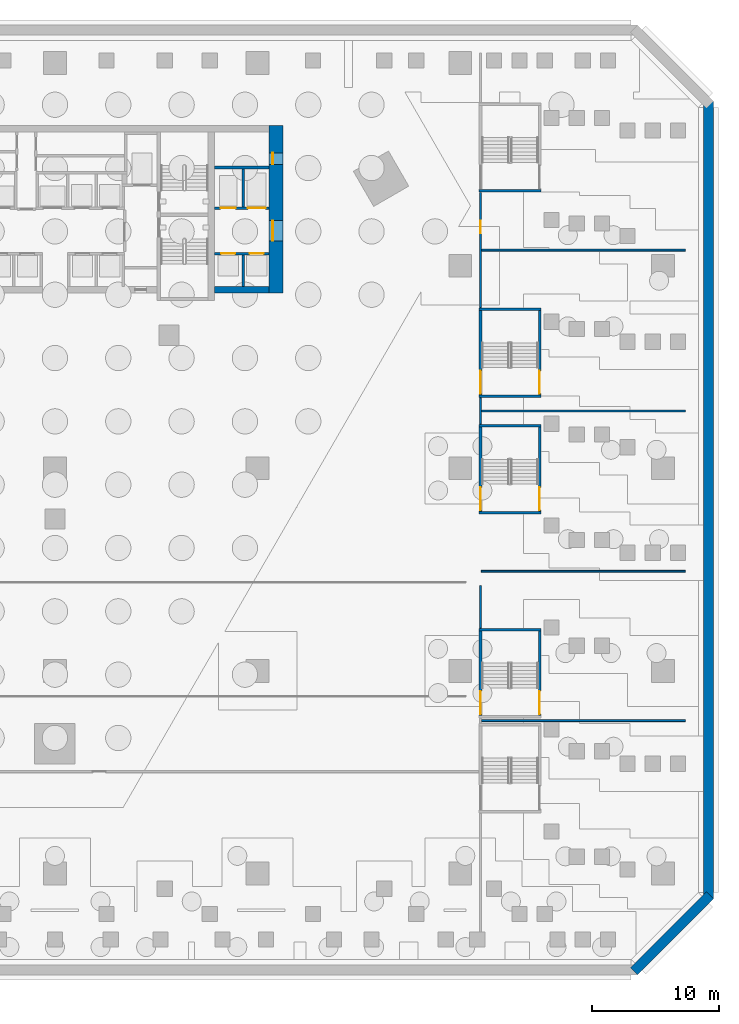
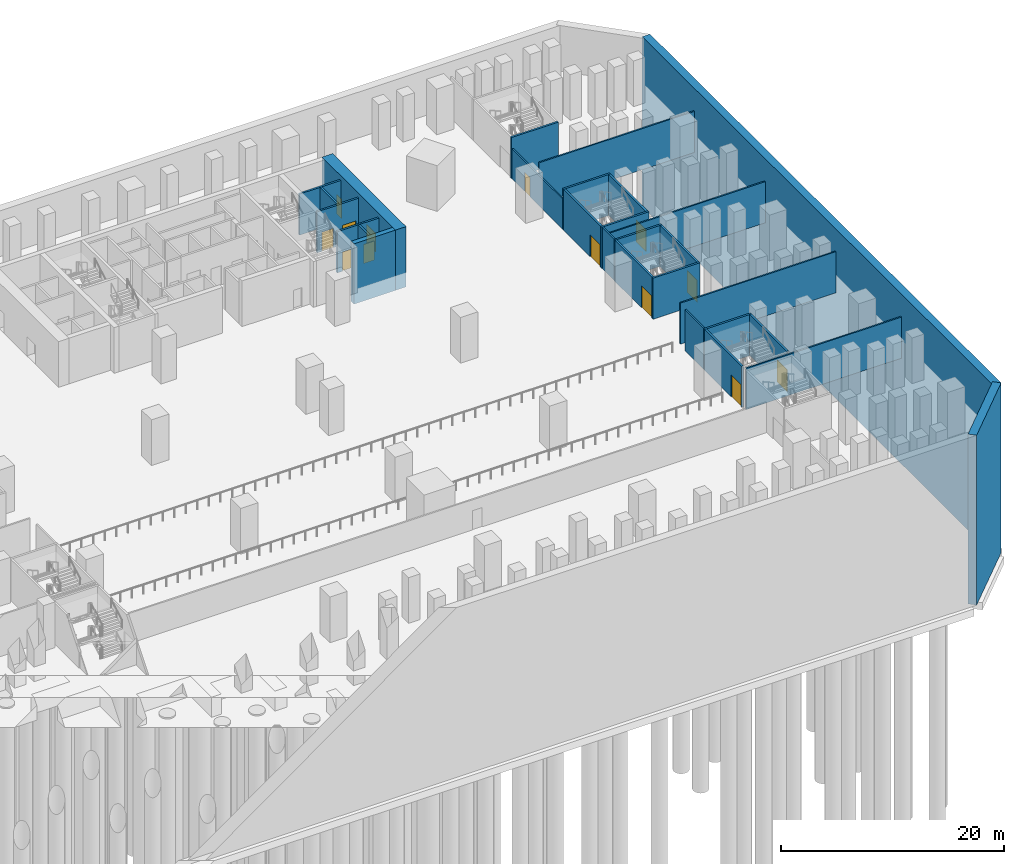
# One storey, part 10 of 27: 28 walls, 13 doors, 13 openings.
"""IFC4 building model written with IfcOpenShell, lengths in metres."""

from ifc_helpers import new_model, si_unit, direction, frame, frame_2d, origin, place, context, subcontext, project, spatial, rectangle, extrude, material, layer, layer_set, type_object, element, fill, save


model = new_model("IFC4")

# Units and contexts
model_context = context("Model", 3, precision=1e-05, world=origin(), true_north=direction((0.0, 1.0)))
body_context = subcontext(model_context, "Body", "Model", "MODEL_VIEW")
ifc_project = project(units=[si_unit("LENGTHUNIT", "METRE"), si_unit("AREAUNIT", "SQUARE_METRE"), si_unit("VOLUMEUNIT", "CUBIC_METRE"), si_unit("PLANEANGLEUNIT", "RADIAN"), si_unit("MASSUNIT", "GRAM", prefix="KILO")], contexts=[model_context])

# Site, building, storey
site_placement = place(None, origin())
site = spatial("IfcSite", under=ifc_project, at=site_placement, CompositionType="ELEMENT")
building_placement = place(site_placement, origin())
building = spatial("IfcBuilding", under=site, at=building_placement, Name="Calabash Gate Tower", CompositionType="ELEMENT")
storey_placement = place(building_placement, frame((0.0, 0.0, -10.0)))
storey = spatial("IfcBuildingStorey", under=building, at=storey_placement, Name="B2", CompositionType="ELEMENT", Elevation=-10.0)

# Wall, openings, doors
ifc_material_1 = material(Name="Concrete C60/75", Category="concrete")
ifc_layer_1 = layer(ifc_material_1, 1.10009765625)
ifc_layer_set_1 = layer_set([ifc_layer_1], Name="Core wall 1100 Concrete C60/75")
wall_type_1 = type_object("IfcWallType", Name="Core wall 1100 Concrete C60/75", PredefinedType="SHEAR", material=ifc_layer_set_1)
wall_1_placement = place(storey_placement, frame((17.449951171875, 5.8525390625, -1.60009765625), z_axis=(0.0, 0.0, 1.0), x_axis=(0.0, 1.0, 0.0)))
wall_1 = element("IfcWall", 1, at=wall_1_placement, inside=storey, type_object=wall_type_1, Name="Core wall B-ENDE B2", PredefinedType="SHEAR", context=body_context, shape_type="SweptSolid", body=[
    extrude(rectangle(XDim=13.199951171875, YDim=1.10009765625, at=frame_2d((6.60009765625, 0.0))), origin(), (0.0, 0.0, 1.0), 6.60009765625),
])
opening_1_placement = place(wall_1_placement, frame((4.10009765625, 0.0, 1.60009765625)))
opening_1 = element("IfcOpeningElement", 2, at=opening_1_placement, cuts=wall_1, Name="Opening B2-016", PredefinedType="OPENING", context=body_context, shape_type="SweptSolid", body=[
    extrude(rectangle(XDim=1.60009765625, YDim=2.10009765625, at=frame_2d((0.800048828125, 1.050048828125))), frame((0.0, 0.56005859375, 0.0), z_axis=(0.0, -1.0, 0.0), x_axis=(1.0, 0.0, 0.0)), (0.0, 0.0, 1.0), 1.1201171875),
])
opening_2_placement = place(wall_1_placement, frame((10.14990234375, 0.0, 1.60009765625)))
opening_2 = element("IfcOpeningElement", 3, at=opening_2_placement, cuts=wall_1, Name="Opening B2-017", PredefinedType="OPENING", context=body_context, shape_type="SweptSolid", body=[
    extrude(rectangle(XDim=0.89990234375, YDim=2.10009765625, at=frame_2d((0.449951171875, 1.050048828125))), frame((0.0, 0.56005859375, 0.0), z_axis=(0.0, -1.0, 0.0), x_axis=(1.0, 0.0, 0.0)), (0.0, 0.0, 1.0), 1.1201171875),
])
ifc_material_2 = material(Name="Steel fire door set with fire-resisting glazing", Category="steel")
door_type_1 = type_object("IfcDoorType", Name="Double fire door D08 1600x2100 FD60", OperationType="DOUBLE_DOOR_SINGLE_SWING", PredefinedType="DOOR", material=ifc_material_2)
door_1_placement = place(opening_1_placement, origin())
door_1 = element("IfcDoor", 4, at=door_1_placement, inside=storey, type_object=door_type_1, Name="Low-rise Lift Lobby E door", OperationType="DOUBLE_DOOR_SINGLE_SWING", OverallHeight=2.10009765625, OverallWidth=1.60009765625, PredefinedType="DOOR", context=body_context, shape_type="SweptSolid", body=[
    extrude(rectangle(XDim=1.60009765625, YDim=2.10009765625, at=frame_2d((0.800048828125, 1.050048828125))), frame((0.0, 0.27490234375, 0.0), z_axis=(0.0, -1.0, 0.0), x_axis=(1.0, 0.0, 0.0)), (0.0, 0.0, 1.0), 0.050048828125),
])
fill(opening_1, door_1)
ifc_material_3 = material(Name="Steel fire door set with fire-resisting glazing", Category="steel")
door_type_2 = type_object("IfcDoorType", Name="Fire door D06 900x2100 FD60", OperationType="NOTDEFINED", PredefinedType="DOOR", material=ifc_material_3)
door_2_placement = place(opening_2_placement, origin())
door_2 = element("IfcDoor", 5, at=door_2_placement, inside=storey, type_object=door_type_2, Name="Plant BMS Room door", OperationType="SINGLE_SWING_LEFT", OverallHeight=2.10009765625, OverallWidth=0.89990234375, PredefinedType="DOOR", context=body_context, shape_type="SweptSolid", body=[
    extrude(rectangle(XDim=0.89990234375, YDim=2.10009765625, at=frame_2d((0.449951171875, 1.050048828125))), frame((0.0, 0.27490234375, 0.0), z_axis=(0.0, -1.0, 0.0), x_axis=(1.0, 0.0, 0.0)), (0.0, 0.0, 1.0), 0.050048828125),
])
fill(opening_2, door_2)

# Walls
ifc_material_4 = material(Name="Concrete C60/75", Category="concrete")
ifc_layer_2 = layer(ifc_material_4, 0.5)
ifc_layer_set_2 = layer_set([ifc_layer_2], Name="Core wall 500 Concrete C60/75")
wall_type_2 = type_object("IfcWallType", Name="Core wall 500 Concrete C60/75", PredefinedType="SHEAR", material=ifc_layer_set_2)
wall_2_placement = place(storey_placement, frame((12.60009765625, 6.1025390625, -1.60009765625), z_axis=(0.0, 0.0, 1.0), x_axis=(1.0, 0.0, 0.0)))
element("IfcWall", 6, at=wall_2_placement, inside=storey, type_object=wall_type_2, Name="Core wall B-SE B2", PredefinedType="SHEAR", context=body_context, shape_type="SweptSolid", body=[
    extrude(rectangle(XDim=4.2998046875, YDim=0.5, at=frame_2d((2.14990234375, 0.0))), origin(), (0.0, 0.0, 1.0), 6.60009765625),
])
ifc_material_5 = material(Name="Concrete C60/75", Category="concrete")
ifc_layer_3 = layer(ifc_material_5, 0.800048828125)
ifc_layer_set_3 = layer_set([ifc_layer_3], Name="Diaphragm wall 800 Concrete C60/75")
wall_type_3 = type_object("IfcWallType", Name="Diaphragm wall 800 Concrete C60/75", PredefinedType="SHEAR", material=ifc_layer_set_3)
wall_3_placement = place(storey_placement, frame((45.717041015625, -47.717041015625, -13.60009765625), z_axis=(0.0, 0.0, 1.0), x_axis=(0.707106781187, 0.707106781187, 0.0)))
element("IfcWall", 7, at=wall_3_placement, inside=storey, type_object=wall_type_3, Name="Diaphragm wall B2", PredefinedType="SHEAR", context=body_context, shape_type="SweptSolid", body=[
    extrude(rectangle(XDim=8.4853515625, YDim=0.800048828125, at=frame_2d((4.24267578125, 0.0))), origin(), (0.0, 0.0, 1.0), 18.60009765625),
])
wall_4_placement = place(storey_placement, frame((51.60009765625, -42.0, -13.60009765625), z_axis=(0.0, 0.0, 1.0), x_axis=(0.0, 1.0, 0.0)))
element("IfcWall", 8, at=wall_4_placement, inside=storey, type_object=wall_type_3, Name="Diaphragm wall B2", PredefinedType="SHEAR", context=body_context, shape_type="SweptSolid", body=[
    extrude(rectangle(XDim=63.0, YDim=0.800048828125, at=frame_2d((31.5, 0.0))), origin(), (0.0, 0.0, 1.0), 18.60009765625),
])
ifc_material_6 = material(Name="Gypsum board on steel studs, mineral wool", Category="steel")
ifc_layer_4 = layer(ifc_material_6, 0.14990234375)
ifc_layer_set_4 = layer_set([ifc_layer_4], Name="Partition 150 gypsum board")
wall_type_4 = type_object("IfcWallType", Name="Partition 150 gypsum board", PredefinedType="PARTITIONING", material=ifc_layer_set_4)
wall_5_placement = place(storey_placement, frame((33.675048828125, -27.925048828125, 0.0), z_axis=(0.0, 0.0, 1.0), x_axis=(1.0, 0.0, 0.0)))
element("IfcWall", 9, at=wall_5_placement, inside=storey, type_object=wall_type_4, Name="Partition", PredefinedType="PARTITIONING", context=body_context, shape_type="SweptSolid", body=[
    extrude(rectangle(XDim=16.099853515625, YDim=0.14990234375, at=frame_2d((8.0498046875, 0.0))), origin(), (0.0, 0.0, 1.0), 4.5),
])
wall_6_placement = place(storey_placement, frame((33.60009765625, -20.610107421875, 0.0), z_axis=(0.0, 0.0, 1.0), x_axis=(0.0, 1.0, 0.0)))
element("IfcWall", 10, at=wall_6_placement, inside=storey, type_object=wall_type_4, Name="Partition", PredefinedType="PARTITIONING", context=body_context, shape_type="SweptSolid", body=[
    extrude(rectangle(XDim=3.340087890625, YDim=0.14990234375, at=frame_2d((1.669921875, 0.0))), origin(), (0.0, 0.0, 1.0), 4.5),
])
wall_7_placement = place(storey_placement, frame((33.675048828125, -16.125, 0.0), z_axis=(0.0, 0.0, 1.0), x_axis=(1.0, 0.0, 0.0)))
element("IfcWall", 11, at=wall_7_placement, inside=storey, type_object=wall_type_4, Name="Partition", PredefinedType="PARTITIONING", context=body_context, shape_type="SweptSolid", body=[
    extrude(rectangle(XDim=16.099853515625, YDim=0.14990234375, at=frame_2d((8.0498046875, 0.0))), origin(), (0.0, 0.0, 1.0), 4.5),
])
wall_8_placement = place(storey_placement, frame((33.60009765625, -4.510009765625, 0.0), z_axis=(0.0, 0.0, 1.0), x_axis=(0.0, 1.0, 0.0)))
element("IfcWall", 12, at=wall_8_placement, inside=storey, type_object=wall_type_4, Name="Partition", PredefinedType="PARTITIONING", context=body_context, shape_type="SweptSolid", body=[
    extrude(rectangle(XDim=2.070068359375, YDim=0.14990234375, at=frame_2d((1.03515625, 0.0))), origin(), (0.0, 0.0, 1.0), 4.5),
])
wall_9_placement = place(storey_placement, frame((33.675048828125, -3.47509765625, 0.0), z_axis=(0.0, 0.0, 1.0), x_axis=(1.0, 0.0, 0.0)))
element("IfcWall", 13, at=wall_9_placement, inside=storey, type_object=wall_type_4, Name="Partition", PredefinedType="PARTITIONING", context=body_context, shape_type="SweptSolid", body=[
    extrude(rectangle(XDim=16.099853515625, YDim=0.14990234375, at=frame_2d((8.0498046875, 0.0))), origin(), (0.0, 0.0, 1.0), 4.5),
])

# Wall, opening, door
wall_10_placement = place(storey_placement, frame((33.60009765625, 4.68994140625, 0.0), z_axis=(0.0, 0.0, 1.0), x_axis=(0.0, 1.0, 0.0)))
wall_10 = element("IfcWall", 14, at=wall_10_placement, inside=storey, type_object=wall_type_4, Name="Partition", PredefinedType="PARTITIONING", context=body_context, shape_type="SweptSolid", body=[
    extrude(rectangle(XDim=9.070068359375, YDim=0.14990234375, at=frame_2d((4.53515625, 0.0))), origin(), (0.0, 0.0, 1.0), 3.300048828125),
])
opening_3_placement = place(wall_10_placement, frame((5.85888671875, 0.0, 0.0)))
opening_3 = element("IfcOpeningElement", 15, at=opening_3_placement, cuts=wall_10, Name="Opening B2-041", PredefinedType="OPENING", context=body_context, shape_type="SweptSolid", body=[
    extrude(rectangle(XDim=1.0, YDim=2.10009765625, at=frame_2d((0.5, 1.050048828125))), frame((0.0, 0.0849609375, 0.0), z_axis=(0.0, -1.0, 0.0), x_axis=(1.0, 0.0, 0.0)), (0.0, 0.0, 1.0), 0.169921875),
])
ifc_material_7 = material(Name="Steel fire door set with fire-resisting glazing", Category="steel")
door_type_3 = type_object("IfcDoorType", Name="Fire door D11 1000x2100 FD60", OperationType="NOTDEFINED", PredefinedType="DOOR", material=ifc_material_7)
door_3_placement = place(opening_3_placement, origin())
door_3 = element("IfcDoor", 16, at=door_3_placement, inside=storey, type_object=door_type_3, Name="Chiller Plant Room door", OperationType="SINGLE_SWING_RIGHT", OverallHeight=2.10009765625, OverallWidth=1.0, PredefinedType="DOOR", context=body_context, shape_type="SweptSolid", body=[
    extrude(rectangle(XDim=1.0, YDim=2.10009765625, at=frame_2d((0.5, 1.050048828125))), frame((0.0, 0.02490234375, 0.0), z_axis=(0.0, -1.0, 0.0), x_axis=(1.0, 0.0, 0.0)), (0.0, 0.0, 1.0), 0.050048828125),
])
fill(opening_3, door_3)

# Walls
wall_11_placement = place(storey_placement, frame((33.675048828125, 9.22509765625, 0.0), z_axis=(0.0, 0.0, 1.0), x_axis=(1.0, 0.0, 0.0)))
element("IfcWall", 17, at=wall_11_placement, inside=storey, type_object=wall_type_4, Name="Partition", PredefinedType="PARTITIONING", context=body_context, shape_type="SweptSolid", body=[
    extrude(rectangle(XDim=16.099853515625, YDim=0.14990234375, at=frame_2d((8.0498046875, 0.0))), origin(), (0.0, 0.0, 1.0), 4.5),
])
ifc_material_8 = material(Name="Concrete C40/50", Category="concrete")
ifc_layer_5 = layer(ifc_material_8, 0.199951171875)
ifc_layer_set_5 = layer_set([ifc_layer_5], Name="Shaft wall 200 Concrete C40/50")
wall_type_5 = type_object("IfcWallType", Name="Shaft wall 200 Concrete C40/50", PredefinedType="SOLIDWALL", material=ifc_layer_set_5)
wall_12_placement = place(storey_placement, frame((14.85009765625, 6.3525390625, 0.0), z_axis=(0.0, 0.0, 1.0), x_axis=(0.0, 1.0, 0.0)))
element("IfcWall", 18, at=wall_12_placement, inside=storey, type_object=wall_type_5, Name="Shaft wall", PredefinedType="SOLIDWALL", context=body_context, shape_type="SweptSolid", body=[
    extrude(rectangle(XDim=2.5, YDim=0.199951171875, at=frame_2d((1.25, 0.0))), origin(), (0.0, 0.0, 1.0), 4.5),
])

# Wall, openings, doors
wall_13_placement = place(storey_placement, frame((12.60009765625, 8.95263671875, 0.0), z_axis=(0.0, 0.0, 1.0), x_axis=(1.0, 0.0, 0.0)))
wall_13 = element("IfcWall", 19, at=wall_13_placement, inside=storey, type_object=wall_type_5, Name="Shaft wall", PredefinedType="SOLIDWALL", context=body_context, shape_type="SweptSolid", body=[
    extrude(rectangle(XDim=4.2998046875, YDim=0.199951171875, at=frame_2d((2.14990234375, 0.0))), origin(), (0.0, 0.0, 1.0), 4.5),
])
opening_4_placement = place(wall_13_placement, frame((0.52490234375, 0.0, 0.0)))
opening_4 = element("IfcOpeningElement", 20, at=opening_4_placement, cuts=wall_13, Name="Opening LD-LR5", PredefinedType="OPENING", context=body_context, shape_type="SweptSolid", body=[
    extrude(rectangle(XDim=1.10009765625, YDim=2.10009765625, at=frame_2d((0.550048828125, 1.050048828125))), frame((0.0, 0.10986328125, 0.0), z_axis=(0.0, -1.0, 0.0), x_axis=(1.0, 0.0, 0.0)), (0.0, 0.0, 1.0), 0.219970703125),
])
opening_5_placement = place(wall_13_placement, frame((2.77490234375, 0.0, 0.0)))
opening_5 = element("IfcOpeningElement", 21, at=opening_5_placement, cuts=wall_13, Name="Opening LD-LR6", PredefinedType="OPENING", context=body_context, shape_type="SweptSolid", body=[
    extrude(rectangle(XDim=1.10009765625, YDim=2.10009765625, at=frame_2d((0.550048828125, 1.050048828125))), frame((0.0, 0.10986328125, 0.0), z_axis=(0.0, -1.0, 0.0), x_axis=(1.0, 0.0, 0.0)), (0.0, 0.0, 1.0), 0.219970703125),
])
ifc_material_9 = material(Name="Stainless steel sliding door leaves", Category="steel")
door_type_4 = type_object("IfcDoorType", Name="Lift landing door LS1 1100x2100 FD90", OperationType="DOUBLE_DOOR_SLIDING", PredefinedType="DOOR", material=ifc_material_9)
door_4_placement = place(opening_4_placement, origin())
door_4 = element("IfcDoor", 22, at=door_4_placement, inside=storey, type_object=door_type_4, Name="Lift landing door LR5", OperationType="DOUBLE_DOOR_SLIDING", OverallHeight=2.10009765625, OverallWidth=1.10009765625, PredefinedType="DOOR", context=body_context, shape_type="SweptSolid", body=[
    extrude(rectangle(XDim=1.10009765625, YDim=2.10009765625, at=frame_2d((0.550048828125, 1.050048828125))), frame((0.0, 0.02490234375, 0.0), z_axis=(0.0, -1.0, 0.0), x_axis=(1.0, 0.0, 0.0)), (0.0, 0.0, 1.0), 0.050048828125),
])
fill(opening_4, door_4)
door_5_placement = place(opening_5_placement, origin())
door_5 = element("IfcDoor", 23, at=door_5_placement, inside=storey, type_object=door_type_4, Name="Lift landing door LR6", OperationType="DOUBLE_DOOR_SLIDING", OverallHeight=2.10009765625, OverallWidth=1.10009765625, PredefinedType="DOOR", context=body_context, shape_type="SweptSolid", body=[
    extrude(rectangle(XDim=1.10009765625, YDim=2.10009765625, at=frame_2d((0.550048828125, 1.050048828125))), frame((0.0, 0.02490234375, 0.0), z_axis=(0.0, -1.0, 0.0), x_axis=(1.0, 0.0, 0.0)), (0.0, 0.0, 1.0), 0.050048828125),
])
fill(opening_5, door_5)

wall_14_placement = place(storey_placement, frame((12.60009765625, 12.552490234375, 0.0), z_axis=(0.0, 0.0, 1.0), x_axis=(1.0, 0.0, 0.0)))
wall_14 = element("IfcWall", 24, at=wall_14_placement, inside=storey, type_object=wall_type_5, Name="Shaft wall", PredefinedType="SOLIDWALL", context=body_context, shape_type="SweptSolid", body=[
    extrude(rectangle(XDim=4.2998046875, YDim=0.199951171875, at=frame_2d((2.14990234375, 0.0))), origin(), (0.0, 0.0, 1.0), 4.5),
])
opening_6_placement = place(wall_14_placement, frame((0.47509765625, 0.0, 0.0)))
opening_6 = element("IfcOpeningElement", 25, at=opening_6_placement, cuts=wall_14, Name="Opening LD-SL1", PredefinedType="OPENING", context=body_context, shape_type="SweptSolid", body=[
    extrude(rectangle(XDim=1.199951171875, YDim=2.10009765625, at=frame_2d((0.60009765625, 1.050048828125))), frame((0.0, 0.10986328125, 0.0), z_axis=(0.0, -1.0, 0.0), x_axis=(1.0, 0.0, 0.0)), (0.0, 0.0, 1.0), 0.219970703125),
])
opening_7_placement = place(wall_14_placement, frame((2.625, 0.0, 0.0)))
opening_7 = element("IfcOpeningElement", 26, at=opening_7_placement, cuts=wall_14, Name="Opening LD-GL1", PredefinedType="OPENING", context=body_context, shape_type="SweptSolid", body=[
    extrude(rectangle(XDim=1.39990234375, YDim=2.10009765625, at=frame_2d((0.699951171875, 1.050048828125))), frame((0.0, 0.10986328125, 0.0), z_axis=(0.0, -1.0, 0.0), x_axis=(1.0, 0.0, 0.0)), (0.0, 0.0, 1.0), 0.219970703125),
])
ifc_material_10 = material(Name="Stainless steel sliding door leaves", Category="steel")
door_type_5 = type_object("IfcDoorType", Name="Lift landing door LS3 1200x2100 FD90", OperationType="DOUBLE_DOOR_SLIDING", PredefinedType="DOOR", material=ifc_material_10)
door_6_placement = place(opening_6_placement, origin())
door_6 = element("IfcDoor", 27, at=door_6_placement, inside=storey, type_object=door_type_5, Name="Lift landing door SL1", OperationType="DOUBLE_DOOR_SLIDING", OverallHeight=2.10009765625, OverallWidth=1.199951171875, PredefinedType="DOOR", context=body_context, shape_type="SweptSolid", body=[
    extrude(rectangle(XDim=1.199951171875, YDim=2.10009765625, at=frame_2d((0.60009765625, 1.050048828125))), frame((0.0, 0.02490234375, 0.0), z_axis=(0.0, -1.0, 0.0), x_axis=(1.0, 0.0, 0.0)), (0.0, 0.0, 1.0), 0.050048828125),
])
fill(opening_6, door_6)
ifc_material_11 = material(Name="Stainless steel sliding door leaves", Category="steel")
door_type_6 = type_object("IfcDoorType", Name="Lift landing door LS4 1400x2100 FD90", OperationType="DOUBLE_DOOR_SLIDING", PredefinedType="DOOR", material=ifc_material_11)
door_7_placement = place(opening_7_placement, origin())
door_7 = element("IfcDoor", 28, at=door_7_placement, inside=storey, type_object=door_type_6, Name="Lift landing door GL1", OperationType="DOUBLE_DOOR_SLIDING", OverallHeight=2.10009765625, OverallWidth=1.39990234375, PredefinedType="DOOR", context=body_context, shape_type="SweptSolid", body=[
    extrude(rectangle(XDim=1.39990234375, YDim=2.10009765625, at=frame_2d((0.699951171875, 1.050048828125))), frame((0.0, 0.02490234375, 0.0), z_axis=(0.0, -1.0, 0.0), x_axis=(1.0, 0.0, 0.0)), (0.0, 0.0, 1.0), 0.050048828125),
])
fill(opening_7, door_7)

# Walls
wall_15_placement = place(storey_placement, frame((14.85009765625, 12.652587890625, 0.0), z_axis=(0.0, 0.0, 1.0), x_axis=(0.0, 1.0, 0.0)))
element("IfcWall", 29, at=wall_15_placement, inside=storey, type_object=wall_type_5, Name="Shaft wall", PredefinedType="SOLIDWALL", context=body_context, shape_type="SweptSolid", body=[
    extrude(rectangle(XDim=3.0, YDim=0.199951171875, at=frame_2d((1.5, 0.0))), origin(), (0.0, 0.0, 1.0), 4.5),
])
wall_16_placement = place(storey_placement, frame((12.60009765625, 15.752685546875, 0.0), z_axis=(0.0, 0.0, 1.0), x_axis=(1.0, 0.0, 0.0)))
element("IfcWall", 30, at=wall_16_placement, inside=storey, type_object=wall_type_5, Name="Shaft wall", PredefinedType="SOLIDWALL", context=body_context, shape_type="SweptSolid", body=[
    extrude(rectangle(XDim=4.2998046875, YDim=0.199951171875, at=frame_2d((2.14990234375, 0.0))), origin(), (0.0, 0.0, 1.0), 4.5),
])
ifc_material_12 = material(Name="Concrete C40/50", Category="concrete")
ifc_layer_6 = layer(ifc_material_12, 0.199951171875)
ifc_layer_set_6 = layer_set([ifc_layer_6], Name="Stair wall 200 Concrete C40/50")
wall_type_6 = type_object("IfcWallType", Name="Stair wall 200 Concrete C40/50", PredefinedType="SOLIDWALL", material=ifc_layer_set_6)
wall_17_placement = place(storey_placement, frame((33.5, -20.75, 0.0), z_axis=(0.0, 0.0, 1.0), x_axis=(1.0, 0.0, 0.0)))
element("IfcWall", 31, at=wall_17_placement, inside=storey, type_object=wall_type_6, Name="Stair wall", PredefinedType="SOLIDWALL", context=body_context, shape_type="SweptSolid", body=[
    extrude(rectangle(XDim=4.8701171875, YDim=0.199951171875, at=frame_2d((2.43505859375, 0.0))), origin(), (0.0, 0.0, 1.0), 4.5),
])

# Wall, opening, door
wall_18_placement = place(storey_placement, frame((33.60009765625, -27.5, 0.0), z_axis=(0.0, 0.0, 1.0), x_axis=(0.0, 1.0, 0.0)))
wall_18 = element("IfcWall", 32, at=wall_18_placement, inside=storey, type_object=wall_type_6, Name="Stair wall", PredefinedType="SOLIDWALL", context=body_context, shape_type="SweptSolid", body=[
    extrude(rectangle(XDim=6.64990234375, YDim=0.199951171875, at=frame_2d((3.324951171875, 0.0))), origin(), (0.0, 0.0, 1.0), 4.5),
])
opening_8_placement = place(wall_18_placement, frame((0.10009765625, 0.0, 0.0)))
opening_8 = element("IfcOpeningElement", 33, at=opening_8_placement, cuts=wall_18, Name="Opening B2-030", PredefinedType="OPENING", context=body_context, shape_type="SweptSolid", body=[
    extrude(rectangle(XDim=1.800048828125, YDim=2.39990234375, at=frame_2d((0.89990234375, 1.199951171875))), frame((0.0, 0.10986328125, 0.0), z_axis=(0.0, -1.0, 0.0), x_axis=(1.0, 0.0, 0.0)), (0.0, 0.0, 1.0), 0.219970703125),
])
ifc_material_13 = material(Name="Steel fire door set with fire-resisting glazing", Category="steel")
door_type_7 = type_object("IfcDoorType", Name="Double fire door D16 1800x2400 FD90", OperationType="DOUBLE_DOOR_SINGLE_SWING", PredefinedType="DOOR", material=ifc_material_13)
door_8_placement = place(opening_8_placement, origin())
door_8 = element("IfcDoor", 34, at=door_8_placement, inside=storey, type_object=door_type_7, Name="Exit stair door PS7", OperationType="DOUBLE_DOOR_SINGLE_SWING", OverallHeight=2.39990234375, OverallWidth=1.800048828125, PredefinedType="DOOR", context=body_context, shape_type="SweptSolid", body=[
    extrude(rectangle(XDim=1.800048828125, YDim=2.39990234375, at=frame_2d((0.89990234375, 1.199951171875))), frame((0.0, 0.02490234375, 0.0), z_axis=(0.0, -1.0, 0.0), x_axis=(1.0, 0.0, 0.0)), (0.0, 0.0, 1.0), 0.050048828125),
])
fill(opening_8, door_8)

wall_19_placement = place(storey_placement, frame((38.27001953125, -27.5, 0.0), z_axis=(0.0, 0.0, 1.0), x_axis=(0.0, 1.0, 0.0)))
wall_19 = element("IfcWall", 35, at=wall_19_placement, inside=storey, type_object=wall_type_6, Name="Stair wall", PredefinedType="SOLIDWALL", context=body_context, shape_type="SweptSolid", body=[
    extrude(rectangle(XDim=6.64990234375, YDim=0.199951171875, at=frame_2d((3.324951171875, 0.0))), origin(), (0.0, 0.0, 1.0), 4.5),
])
opening_9_placement = place(wall_19_placement, frame((0.10009765625, 0.0, 0.0)))
opening_9 = element("IfcOpeningElement", 36, at=opening_9_placement, cuts=wall_19, Name="Opening B2-031", PredefinedType="OPENING", context=body_context, shape_type="SweptSolid", body=[
    extrude(rectangle(XDim=1.800048828125, YDim=2.39990234375, at=frame_2d((0.89990234375, 1.199951171875))), frame((0.0, 0.10986328125, 0.0), z_axis=(0.0, -1.0, 0.0), x_axis=(1.0, 0.0, 0.0)), (0.0, 0.0, 1.0), 0.219970703125),
])
door_9_placement = place(opening_9_placement, origin())
door_9 = element("IfcDoor", 37, at=door_9_placement, inside=storey, type_object=door_type_7, Name="Exit stair door PS7", OperationType="DOUBLE_DOOR_SINGLE_SWING", OverallHeight=2.39990234375, OverallWidth=1.800048828125, PredefinedType="DOOR", context=body_context, shape_type="SweptSolid", body=[
    extrude(rectangle(XDim=1.800048828125, YDim=2.39990234375, at=frame_2d((0.89990234375, 1.199951171875))), frame((0.0, 0.02490234375, 0.0), z_axis=(0.0, -1.0, 0.0), x_axis=(1.0, 0.0, 0.0)), (0.0, 0.0, 1.0), 0.050048828125),
])
fill(opening_9, door_9)

# Walls
for number, where, z_axis, x_axis, name in (
    (38, (33.5, -11.5, 0.0), (0.0, 0.0, 1.0), (1.0, 0.0, 0.0), "Stair wall"),
    (39, (33.5, -4.64990234375, 0.0), (0.0, 0.0, 1.0), (1.0, 0.0, 0.0), "Stair wall"),
):
    element("IfcWall", number, at=place(storey_placement, frame(where, z_axis=z_axis, x_axis=x_axis)), inside=storey, type_object=wall_type_6, Name=name, PredefinedType="SOLIDWALL", context=body_context, shape_type="SweptSolid", body=[
        extrude(rectangle(XDim=4.8701171875, YDim=0.199951171875, at=frame_2d((2.43505859375, 0.0))), origin(), (0.0, 0.0, 1.0), 4.5),
    ])

# Wall, opening, door
wall_20_placement = place(storey_placement, frame((33.60009765625, -11.39990234375, 0.0), z_axis=(0.0, 0.0, 1.0), x_axis=(0.0, 1.0, 0.0)))
wall_20 = element("IfcWall", 40, at=wall_20_placement, inside=storey, type_object=wall_type_6, Name="Stair wall", PredefinedType="SOLIDWALL", context=body_context, shape_type="SweptSolid", body=[
    extrude(rectangle(XDim=6.64990234375, YDim=0.199951171875, at=frame_2d((3.324951171875, 0.0))), origin(), (0.0, 0.0, 1.0), 4.5),
])
opening_10_placement = place(wall_20_placement, frame((0.10009765625, 0.0, 0.0)))
opening_10 = element("IfcOpeningElement", 41, at=opening_10_placement, cuts=wall_20, Name="Opening B2-032", PredefinedType="OPENING", context=body_context, shape_type="SweptSolid", body=[
    extrude(rectangle(XDim=1.800048828125, YDim=2.39990234375, at=frame_2d((0.89990234375, 1.199951171875))), frame((0.0, 0.10986328125, 0.0), z_axis=(0.0, -1.0, 0.0), x_axis=(1.0, 0.0, 0.0)), (0.0, 0.0, 1.0), 0.219970703125),
])
door_10_placement = place(opening_10_placement, origin())
door_10 = element("IfcDoor", 42, at=door_10_placement, inside=storey, type_object=door_type_7, Name="Exit stair door PS8", OperationType="DOUBLE_DOOR_SINGLE_SWING", OverallHeight=2.39990234375, OverallWidth=1.800048828125, PredefinedType="DOOR", context=body_context, shape_type="SweptSolid", body=[
    extrude(rectangle(XDim=1.800048828125, YDim=2.39990234375, at=frame_2d((0.89990234375, 1.199951171875))), frame((0.0, 0.02490234375, 0.0), z_axis=(0.0, -1.0, 0.0), x_axis=(1.0, 0.0, 0.0)), (0.0, 0.0, 1.0), 0.050048828125),
])
fill(opening_10, door_10)

wall_21_placement = place(storey_placement, frame((38.27001953125, -11.39990234375, 0.0), z_axis=(0.0, 0.0, 1.0), x_axis=(0.0, 1.0, 0.0)))
wall_21 = element("IfcWall", 43, at=wall_21_placement, inside=storey, type_object=wall_type_6, Name="Stair wall", PredefinedType="SOLIDWALL", context=body_context, shape_type="SweptSolid", body=[
    extrude(rectangle(XDim=6.64990234375, YDim=0.199951171875, at=frame_2d((3.324951171875, 0.0))), origin(), (0.0, 0.0, 1.0), 4.5),
])
opening_11_placement = place(wall_21_placement, frame((0.10009765625, 0.0, 0.0)))
opening_11 = element("IfcOpeningElement", 44, at=opening_11_placement, cuts=wall_21, Name="Opening B2-033", PredefinedType="OPENING", context=body_context, shape_type="SweptSolid", body=[
    extrude(rectangle(XDim=1.800048828125, YDim=2.39990234375, at=frame_2d((0.89990234375, 1.199951171875))), frame((0.0, 0.10986328125, 0.0), z_axis=(0.0, -1.0, 0.0), x_axis=(1.0, 0.0, 0.0)), (0.0, 0.0, 1.0), 0.219970703125),
])
door_11_placement = place(opening_11_placement, origin())
door_11 = element("IfcDoor", 45, at=door_11_placement, inside=storey, type_object=door_type_7, Name="Exit stair door PS8", OperationType="DOUBLE_DOOR_SINGLE_SWING", OverallHeight=2.39990234375, OverallWidth=1.800048828125, PredefinedType="DOOR", context=body_context, shape_type="SweptSolid", body=[
    extrude(rectangle(XDim=1.800048828125, YDim=2.39990234375, at=frame_2d((0.89990234375, 1.199951171875))), frame((0.0, 0.02490234375, 0.0), z_axis=(0.0, -1.0, 0.0), x_axis=(1.0, 0.0, 0.0)), (0.0, 0.0, 1.0), 0.050048828125),
])
fill(opening_11, door_11)

# Walls
for number, where, z_axis, x_axis, name in (
    (46, (33.5, -2.300048828125, 0.0), (0.0, 0.0, 1.0), (1.0, 0.0, 0.0), "Stair wall"),
    (47, (33.5, 4.550048828125, 0.0), (0.0, 0.0, 1.0), (1.0, 0.0, 0.0), "Stair wall"),
):
    element("IfcWall", number, at=place(storey_placement, frame(where, z_axis=z_axis, x_axis=x_axis)), inside=storey, type_object=wall_type_6, Name=name, PredefinedType="SOLIDWALL", context=body_context, shape_type="SweptSolid", body=[
        extrude(rectangle(XDim=4.8701171875, YDim=0.199951171875, at=frame_2d((2.43505859375, 0.0))), origin(), (0.0, 0.0, 1.0), 4.5),
    ])

# Wall, opening, door
wall_22_placement = place(storey_placement, frame((33.60009765625, -2.199951171875, 0.0), z_axis=(0.0, 0.0, 1.0), x_axis=(0.0, 1.0, 0.0)))
wall_22 = element("IfcWall", 48, at=wall_22_placement, inside=storey, type_object=wall_type_6, Name="Stair wall", PredefinedType="SOLIDWALL", context=body_context, shape_type="SweptSolid", body=[
    extrude(rectangle(XDim=6.64990234375, YDim=0.199951171875, at=frame_2d((3.324951171875, 0.0))), origin(), (0.0, 0.0, 1.0), 4.5),
])
opening_12_placement = place(wall_22_placement, frame((0.10009765625, 0.0, 0.0)))
opening_12 = element("IfcOpeningElement", 49, at=opening_12_placement, cuts=wall_22, Name="Opening B2-034", PredefinedType="OPENING", context=body_context, shape_type="SweptSolid", body=[
    extrude(rectangle(XDim=1.800048828125, YDim=2.39990234375, at=frame_2d((0.89990234375, 1.199951171875))), frame((0.0, 0.10986328125, 0.0), z_axis=(0.0, -1.0, 0.0), x_axis=(1.0, 0.0, 0.0)), (0.0, 0.0, 1.0), 0.219970703125),
])
door_12_placement = place(opening_12_placement, origin())
door_12 = element("IfcDoor", 50, at=door_12_placement, inside=storey, type_object=door_type_7, Name="Exit stair door PS9", OperationType="DOUBLE_DOOR_SINGLE_SWING", OverallHeight=2.39990234375, OverallWidth=1.800048828125, PredefinedType="DOOR", context=body_context, shape_type="SweptSolid", body=[
    extrude(rectangle(XDim=1.800048828125, YDim=2.39990234375, at=frame_2d((0.89990234375, 1.199951171875))), frame((0.0, 0.02490234375, 0.0), z_axis=(0.0, -1.0, 0.0), x_axis=(1.0, 0.0, 0.0)), (0.0, 0.0, 1.0), 0.050048828125),
])
fill(opening_12, door_12)

wall_23_placement = place(storey_placement, frame((38.27001953125, -2.199951171875, 0.0), z_axis=(0.0, 0.0, 1.0), x_axis=(0.0, 1.0, 0.0)))
wall_23 = element("IfcWall", 51, at=wall_23_placement, inside=storey, type_object=wall_type_6, Name="Stair wall", PredefinedType="SOLIDWALL", context=body_context, shape_type="SweptSolid", body=[
    extrude(rectangle(XDim=6.64990234375, YDim=0.199951171875, at=frame_2d((3.324951171875, 0.0))), origin(), (0.0, 0.0, 1.0), 4.5),
])
opening_13_placement = place(wall_23_placement, frame((0.10009765625, 0.0, 0.0)))
opening_13 = element("IfcOpeningElement", 52, at=opening_13_placement, cuts=wall_23, Name="Opening B2-035", PredefinedType="OPENING", context=body_context, shape_type="SweptSolid", body=[
    extrude(rectangle(XDim=1.800048828125, YDim=2.39990234375, at=frame_2d((0.89990234375, 1.199951171875))), frame((0.0, 0.10986328125, 0.0), z_axis=(0.0, -1.0, 0.0), x_axis=(1.0, 0.0, 0.0)), (0.0, 0.0, 1.0), 0.219970703125),
])
door_13_placement = place(opening_13_placement, origin())
door_13 = element("IfcDoor", 53, at=door_13_placement, inside=storey, type_object=door_type_7, Name="Exit stair door PS9", OperationType="DOUBLE_DOOR_SINGLE_SWING", OverallHeight=2.39990234375, OverallWidth=1.800048828125, PredefinedType="DOOR", context=body_context, shape_type="SweptSolid", body=[
    extrude(rectangle(XDim=1.800048828125, YDim=2.39990234375, at=frame_2d((0.89990234375, 1.199951171875))), frame((0.0, 0.02490234375, 0.0), z_axis=(0.0, -1.0, 0.0), x_axis=(1.0, 0.0, 0.0)), (0.0, 0.0, 1.0), 0.050048828125),
])
fill(opening_13, door_13)

# Wall
wall_24_placement = place(storey_placement, frame((33.5, 13.89990234375, 0.0), z_axis=(0.0, 0.0, 1.0), x_axis=(1.0, 0.0, 0.0)))
element("IfcWall", 54, at=wall_24_placement, inside=storey, type_object=wall_type_6, Name="Stair wall", PredefinedType="SOLIDWALL", context=body_context, shape_type="SweptSolid", body=[
    extrude(rectangle(XDim=4.8701171875, YDim=0.199951171875, at=frame_2d((2.43505859375, 0.0))), origin(), (0.0, 0.0, 1.0), 4.5),
])

save(model, "model.ifc")
